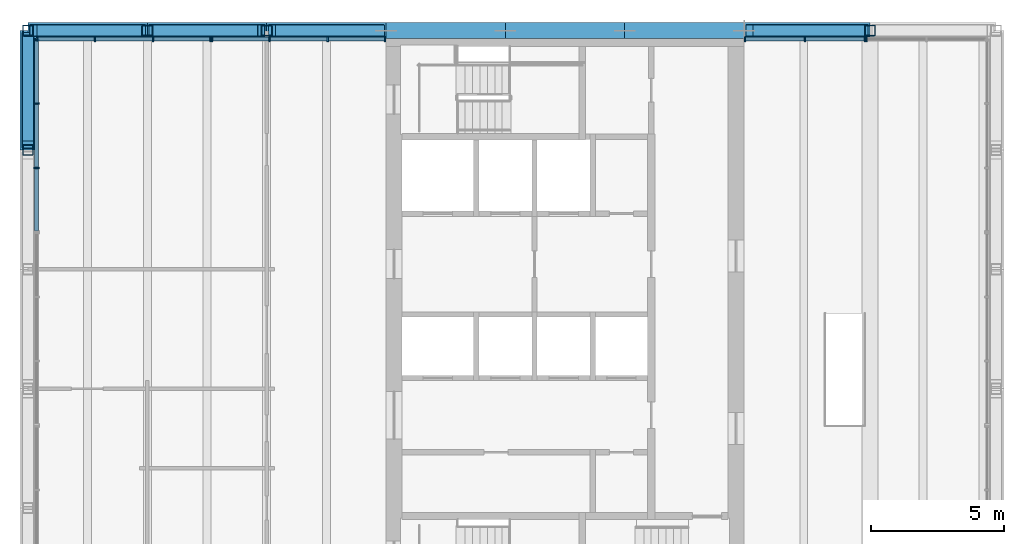
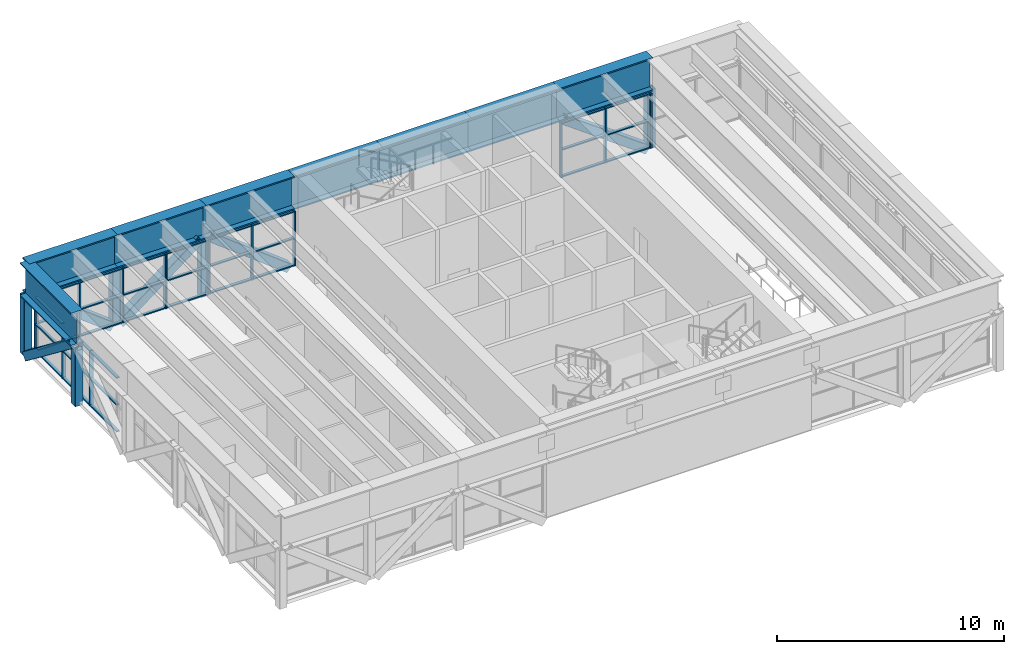
# One storey, part 4 of 12: 66 members, 5 elements without a shape of their own.
"""IFC4 building model written with IfcOpenShell, lengths in metres."""

from ifc_helpers import new_model, si_unit, direction, frame, origin, origin_2d, place, context, subcontext, project, spatial, rectangle, hollow_rectangle, i_section, extrude, material, material_profile, profile_set, type_object, element, aggregate, save


model = new_model("IFC4")

# Units and contexts
model_context = context("Model", 3, precision=1e-05, world=origin(), true_north=direction((0.0, 1.0)))
body_context = subcontext(model_context, "Body", "Model", "MODEL_VIEW")
ifc_project = project(units=[si_unit("LENGTHUNIT", "METRE"), si_unit("AREAUNIT", "SQUARE_METRE"), si_unit("VOLUMEUNIT", "CUBIC_METRE"), si_unit("PLANEANGLEUNIT", "RADIAN"), si_unit("MASSUNIT", "GRAM", prefix="KILO")], contexts=[model_context])

# Site, building, storey
site_placement = place(None, origin())
site = spatial("IfcSite", under=ifc_project, at=site_placement, CompositionType="ELEMENT")
building_placement = place(site_placement, origin())
building = spatial("IfcBuilding", under=site, at=building_placement, Name="Sennacour Bend Tower", CompositionType="ELEMENT")
storey_placement = place(building_placement, frame((0.0, 0.0, 350.5)))
storey = spatial("IfcBuildingStorey", under=building, at=storey_placement, Name="L80", CompositionType="ELEMENT", Elevation=350.5)

# Curtain wall, member
ifc_material_1 = material(Name="Bronze anodised aluminium curtain wall with clear glass", Category="aluminium")
curtain_wall_type = type_object("IfcCurtainWallType", Name="CURTAIN WALL LOUNGE", PredefinedType="NOTDEFINED", material=ifc_material_1)
curtain_wall_1_placement = place(storey_placement, origin())
curtain_wall_1 = element("IfcCurtainWall", 1, at=curtain_wall_1_placement, inside=storey, type_object=curtain_wall_type, Name="Sky lounge glass wall L80", PredefinedType="NOTDEFINED")
ifc_material_2 = material(Name="Aluminium 6063-T6", Category="aluminium")
ifc_material_profile_1 = material_profile(ifc_material_2, rectangle(XDim=0.199951171875, YDim=0.06005859375, at=origin_2d()), Name="Aluminium 6063-T6", Category="aluminium")
ifc_profile_set_1 = profile_set([ifc_material_profile_1], Name="Aluminium 6063-T6")
member_type_1 = type_object("IfcMemberType", Name="CW-MULLION-200X60", PredefinedType="MULLION", material=ifc_profile_set_1)
member_1_placement = place(storey_placement, frame((72.117919921875, 22.175048828125, 0.0), z_axis=(0.0, 0.0, 1.0), x_axis=(0.0, -1.0, 0.0)))
member_1 = element("IfcMember", 2, at=member_1_placement, type_object=member_type_1, Name="GW4 curtain wall mullion 3", PredefinedType="MULLION", context=body_context, shape_type="SweptSolid", body=[
    extrude(rectangle(XDim=0.199951171875, YDim=0.06005859375, at=origin_2d()), origin(), (0.0, 0.0, 1.0), 2.9501953125),
])
aggregate(curtain_wall_1, [member_1])

# Curtain wall, members
curtain_wall_2_placement = place(storey_placement, origin())
curtain_wall_2 = element("IfcCurtainWall", 3, at=curtain_wall_2_placement, inside=storey, type_object=curtain_wall_type, Name="Sky lounge glass wall L80", PredefinedType="NOTDEFINED")
member_2_placement = place(storey_placement, frame((72.05810546875, 22.175048828125, 0.0), z_axis=(0.0, 0.0, 1.0), x_axis=(0.0, -1.0, 0.0)))
member_2 = element("IfcMember", 4, at=member_2_placement, type_object=member_type_1, Name="GW4 curtain wall mullion 1", PredefinedType="MULLION", context=body_context, shape_type="SweptSolid", body=[
    extrude(rectangle(XDim=0.199951171875, YDim=0.06005859375, at=origin_2d()), origin(), (0.0, 0.0, 1.0), 2.9501953125),
])
member_3_placement = place(storey_placement, frame((69.79443359375, 22.175048828125, 0.0), z_axis=(0.0, 0.0, 1.0), x_axis=(0.0, -1.0, 0.0)))
member_3 = element("IfcMember", 5, at=member_3_placement, type_object=member_type_1, Name="GW4 curtain wall mullion 2", PredefinedType="MULLION", context=body_context, shape_type="SweptSolid", body=[
    extrude(rectangle(XDim=0.199951171875, YDim=0.06005859375, at=origin_2d()), origin(), (0.0, 0.0, 1.0), 2.9501953125),
])
member_4_placement = place(storey_placement, frame((67.531005859375, 22.175048828125, 0.0), z_axis=(0.0, 0.0, 1.0), x_axis=(0.0, -1.0, 0.0)))
member_4 = element("IfcMember", 6, at=member_4_placement, type_object=member_type_1, Name="GW4 curtain wall mullion 3", PredefinedType="MULLION", context=body_context, shape_type="SweptSolid", body=[
    extrude(rectangle(XDim=0.199951171875, YDim=0.06005859375, at=origin_2d()), origin(), (0.0, 0.0, 1.0), 2.9501953125),
])

curtain_wall_3_placement = place(storey_placement, origin())
curtain_wall_3 = element("IfcCurtainWall", 7, at=curtain_wall_3_placement, inside=storey, type_object=curtain_wall_type, Name="Sky lounge glass wall L80", PredefinedType="NOTDEFINED")
member_5_placement = place(storey_placement, frame((53.968994140625, 22.175048828125, 0.0), z_axis=(0.0, 0.0, 1.0), x_axis=(0.0, -1.0, 0.0)))
member_5 = element("IfcMember", 8, at=member_5_placement, type_object=member_type_1, Name="GW4 curtain wall mullion 1", PredefinedType="MULLION", context=body_context, shape_type="SweptSolid", body=[
    extrude(rectangle(XDim=0.199951171875, YDim=0.06005859375, at=origin_2d()), origin(), (0.0, 0.0, 1.0), 2.9501953125),
])
member_6_placement = place(storey_placement, frame((51.80322265625, 22.175048828125, 0.0), z_axis=(0.0, 0.0, 1.0), x_axis=(0.0, -1.0, 0.0)))
member_6 = element("IfcMember", 9, at=member_6_placement, type_object=member_type_1, Name="GW4 curtain wall mullion 2", PredefinedType="MULLION", context=body_context, shape_type="SweptSolid", body=[
    extrude(rectangle(XDim=0.199951171875, YDim=0.06005859375, at=origin_2d()), origin(), (0.0, 0.0, 1.0), 2.9501953125),
])
member_7_placement = place(storey_placement, frame((49.607666015625, 22.175048828125, 0.0), z_axis=(0.0, 0.0, 1.0), x_axis=(0.0, -1.0, 0.0)))
member_7 = element("IfcMember", 10, at=member_7_placement, type_object=member_type_1, Name="GW4 curtain wall mullion 3", PredefinedType="MULLION", context=body_context, shape_type="SweptSolid", body=[
    extrude(rectangle(XDim=0.199951171875, YDim=0.06005859375, at=origin_2d()), origin(), (0.0, 0.0, 1.0), 2.9501953125),
])
member_8_placement = place(storey_placement, frame((47.44189453125, 22.175048828125, 0.0), z_axis=(0.0, 0.0, 1.0), x_axis=(0.0, -1.0, 0.0)))
member_8 = element("IfcMember", 11, at=member_8_placement, type_object=member_type_1, Name="GW4 curtain wall mullion 4", PredefinedType="MULLION", context=body_context, shape_type="SweptSolid", body=[
    extrude(rectangle(XDim=0.199951171875, YDim=0.06005859375, at=origin_2d()), origin(), (0.0, 0.0, 1.0), 2.9501953125),
])

curtain_wall_4_placement = place(storey_placement, origin())
curtain_wall_4 = element("IfcCurtainWall", 12, at=curtain_wall_4_placement, inside=storey, type_object=curtain_wall_type, Name="Sky lounge glass wall L80", PredefinedType="NOTDEFINED")
member_9_placement = place(storey_placement, frame((47.382080078125, 22.175048828125, 0.0), z_axis=(0.0, 0.0, 1.0), x_axis=(0.0, -1.0, 0.0)))
member_9 = element("IfcMember", 13, at=member_9_placement, type_object=member_type_1, Name="GW4 curtain wall mullion 1", PredefinedType="MULLION", context=body_context, shape_type="SweptSolid", body=[
    extrude(rectangle(XDim=0.199951171875, YDim=0.06005859375, at=origin_2d()), origin(), (0.0, 0.0, 1.0), 2.9501953125),
])
member_10_placement = place(storey_placement, frame((45.21630859375, 22.175048828125, 0.0), z_axis=(0.0, 0.0, 1.0), x_axis=(0.0, -1.0, 0.0)))
member_10 = element("IfcMember", 14, at=member_10_placement, type_object=member_type_1, Name="GW4 curtain wall mullion 2", PredefinedType="MULLION", context=body_context, shape_type="SweptSolid", body=[
    extrude(rectangle(XDim=0.199951171875, YDim=0.06005859375, at=origin_2d()), origin(), (0.0, 0.0, 1.0), 2.9501953125),
])
member_11_placement = place(storey_placement, frame((43.020751953125, 22.175048828125, 0.0), z_axis=(0.0, 0.0, 1.0), x_axis=(0.0, -1.0, 0.0)))
member_11 = element("IfcMember", 15, at=member_11_placement, type_object=member_type_1, Name="GW4 curtain wall mullion 3", PredefinedType="MULLION", context=body_context, shape_type="SweptSolid", body=[
    extrude(rectangle(XDim=0.199951171875, YDim=0.06005859375, at=origin_2d()), origin(), (0.0, 0.0, 1.0), 2.9501953125),
])
member_12_placement = place(storey_placement, frame((40.85498046875, 22.175048828125, 0.0), z_axis=(0.0, 0.0, 1.0), x_axis=(0.0, -1.0, 0.0)))
member_12 = element("IfcMember", 16, at=member_12_placement, type_object=member_type_1, Name="GW4 curtain wall mullion 4", PredefinedType="MULLION", context=body_context, shape_type="SweptSolid", body=[
    extrude(rectangle(XDim=0.199951171875, YDim=0.06005859375, at=origin_2d()), origin(), (0.0, 0.0, 1.0), 2.9501953125),
])

curtain_wall_5_placement = place(storey_placement, origin())
curtain_wall_5 = element("IfcCurtainWall", 17, at=curtain_wall_5_placement, inside=storey, type_object=curtain_wall_type, Name="Sky lounge glass wall L80", PredefinedType="NOTDEFINED")
member_13_placement = place(storey_placement, frame((40.824951171875, 17.319580078125, 0.0), z_axis=(0.0, 0.0, 1.0), x_axis=(-1.0, 0.0, 0.0)))
member_13 = element("IfcMember", 18, at=member_13_placement, type_object=member_type_1, Name="GW4 curtain wall mullion 2", PredefinedType="MULLION", context=body_context, shape_type="SweptSolid", body=[
    extrude(rectangle(XDim=0.199951171875, YDim=0.06005859375, at=origin_2d()), origin(), (0.0, 0.0, 1.0), 2.9501953125),
])
member_14_placement = place(storey_placement, frame((40.824951171875, 19.747314453125, 0.0), z_axis=(0.0, 0.0, 1.0), x_axis=(-1.0, 0.0, 0.0)))
member_14 = element("IfcMember", 19, at=member_14_placement, type_object=member_type_1, Name="GW4 curtain wall mullion 3", PredefinedType="MULLION", context=body_context, shape_type="SweptSolid", body=[
    extrude(rectangle(XDim=0.199951171875, YDim=0.06005859375, at=origin_2d()), origin(), (0.0, 0.0, 1.0), 2.9501953125),
])
member_15_placement = place(storey_placement, frame((40.824951171875, 22.14501953125, 0.0), z_axis=(0.0, 0.0, 1.0), x_axis=(-1.0, 0.0, 0.0)))
member_15 = element("IfcMember", 20, at=member_15_placement, type_object=member_type_1, Name="GW4 curtain wall mullion 4", PredefinedType="MULLION", context=body_context, shape_type="SweptSolid", body=[
    extrude(rectangle(XDim=0.199951171875, YDim=0.06005859375, at=origin_2d()), origin(), (0.0, 0.0, 1.0), 2.9501953125),
])

# Member
ifc_material_profile_2 = material_profile(ifc_material_2, rectangle(XDim=0.14990234375, YDim=0.06005859375, at=origin_2d()), Name="Aluminium 6063-T6", Category="aluminium")
ifc_profile_set_2 = profile_set([ifc_material_profile_2], Name="Aluminium 6063-T6")
member_type_2 = type_object("IfcMemberType", Name="CW-TRANSOM-150X60", PredefinedType="USERDEFINED", material=ifc_profile_set_2)
member_16_placement = place(storey_placement, frame((72.028076171875, 22.175048828125, 0.030029296875), z_axis=(-1.0, 0.0, 0.0), x_axis=(0.0, -1.0, 0.0)))
member_16 = element("IfcMember", 21, at=member_16_placement, type_object=member_type_2, Name="GW4 curtain wall transom 1.1", ObjectType="TRANSOM", PredefinedType="USERDEFINED", context=body_context, shape_type="SweptSolid", body=[
    extrude(rectangle(XDim=0.14990234375, YDim=0.06005859375, at=origin_2d()), origin(), (0.0, 0.0, 1.0), 2.20361328125),
])

member_17_placement = place(storey_placement, frame((72.028076171875, 22.175048828125, 1.47509765625), z_axis=(-1.0, 0.0, 0.0), x_axis=(0.0, -1.0, 0.0)))
member_17 = element("IfcMember", 22, at=member_17_placement, type_object=member_type_2, Name="GW4 curtain wall transom 1.2", ObjectType="TRANSOM", PredefinedType="USERDEFINED", context=body_context, shape_type="SweptSolid", body=[
    extrude(rectangle(XDim=0.14990234375, YDim=0.06005859375, at=origin_2d()), origin(), (0.0, 0.0, 1.0), 2.20361328125),
])

member_18_placement = place(storey_placement, frame((72.028076171875, 22.175048828125, 2.920166015625), z_axis=(-1.0, 0.0, 0.0), x_axis=(0.0, -1.0, 0.0)))
member_18 = element("IfcMember", 23, at=member_18_placement, type_object=member_type_2, Name="GW4 curtain wall transom 1.3", ObjectType="TRANSOM", PredefinedType="USERDEFINED", context=body_context, shape_type="SweptSolid", body=[
    extrude(rectangle(XDim=0.14990234375, YDim=0.06005859375, at=origin_2d()), origin(), (0.0, 0.0, 1.0), 2.20361328125),
])

member_19_placement = place(storey_placement, frame((69.764404296875, 22.175048828125, 0.030029296875), z_axis=(-1.0, 0.0, 0.0), x_axis=(0.0, -1.0, 0.0)))
member_19 = element("IfcMember", 24, at=member_19_placement, type_object=member_type_2, Name="GW4 curtain wall transom 2.1", ObjectType="TRANSOM", PredefinedType="USERDEFINED", context=body_context, shape_type="SweptSolid", body=[
    extrude(rectangle(XDim=0.14990234375, YDim=0.06005859375, at=origin_2d()), origin(), (0.0, 0.0, 1.0), 2.203369140625),
])

member_20_placement = place(storey_placement, frame((69.764404296875, 22.175048828125, 1.47509765625), z_axis=(-1.0, 0.0, 0.0), x_axis=(0.0, -1.0, 0.0)))
member_20 = element("IfcMember", 25, at=member_20_placement, type_object=member_type_2, Name="GW4 curtain wall transom 2.2", ObjectType="TRANSOM", PredefinedType="USERDEFINED", context=body_context, shape_type="SweptSolid", body=[
    extrude(rectangle(XDim=0.14990234375, YDim=0.06005859375, at=origin_2d()), origin(), (0.0, 0.0, 1.0), 2.203369140625),
])

member_21_placement = place(storey_placement, frame((69.764404296875, 22.175048828125, 2.920166015625), z_axis=(-1.0, 0.0, 0.0), x_axis=(0.0, -1.0, 0.0)))
member_21 = element("IfcMember", 26, at=member_21_placement, type_object=member_type_2, Name="GW4 curtain wall transom 2.3", ObjectType="TRANSOM", PredefinedType="USERDEFINED", context=body_context, shape_type="SweptSolid", body=[
    extrude(rectangle(XDim=0.14990234375, YDim=0.06005859375, at=origin_2d()), origin(), (0.0, 0.0, 1.0), 2.203369140625),
])

aggregate(curtain_wall_2, [member_2, member_3, member_4, member_16, member_17, member_18, member_19, member_20, member_21])

member_22_placement = place(storey_placement, frame((53.93896484375, 22.175048828125, 0.030029296875), z_axis=(-1.0, 0.0, 0.0), x_axis=(0.0, -1.0, 0.0)))
member_22 = element("IfcMember", 27, at=member_22_placement, type_object=member_type_2, Name="GW4 curtain wall transom 1.1", ObjectType="TRANSOM", PredefinedType="USERDEFINED", context=body_context, shape_type="SweptSolid", body=[
    extrude(rectangle(XDim=0.14990234375, YDim=0.06005859375, at=origin_2d()), origin(), (0.0, 0.0, 1.0), 2.105712890625),
])

member_23_placement = place(storey_placement, frame((53.93896484375, 22.175048828125, 1.47509765625), z_axis=(-1.0, 0.0, 0.0), x_axis=(0.0, -1.0, 0.0)))
member_23 = element("IfcMember", 28, at=member_23_placement, type_object=member_type_2, Name="GW4 curtain wall transom 1.2", ObjectType="TRANSOM", PredefinedType="USERDEFINED", context=body_context, shape_type="SweptSolid", body=[
    extrude(rectangle(XDim=0.14990234375, YDim=0.06005859375, at=origin_2d()), origin(), (0.0, 0.0, 1.0), 2.105712890625),
])

member_24_placement = place(storey_placement, frame((53.93896484375, 22.175048828125, 2.920166015625), z_axis=(-1.0, 0.0, 0.0), x_axis=(0.0, -1.0, 0.0)))
member_24 = element("IfcMember", 29, at=member_24_placement, type_object=member_type_2, Name="GW4 curtain wall transom 1.3", ObjectType="TRANSOM", PredefinedType="USERDEFINED", context=body_context, shape_type="SweptSolid", body=[
    extrude(rectangle(XDim=0.14990234375, YDim=0.06005859375, at=origin_2d()), origin(), (0.0, 0.0, 1.0), 2.105712890625),
])

member_25_placement = place(storey_placement, frame((51.7734375, 22.175048828125, 0.030029296875), z_axis=(-1.0, 0.0, 0.0), x_axis=(0.0, -1.0, 0.0)))
member_25 = element("IfcMember", 30, at=member_25_placement, type_object=member_type_2, Name="GW4 curtain wall transom 2.1", ObjectType="TRANSOM", PredefinedType="USERDEFINED", context=body_context, shape_type="SweptSolid", body=[
    extrude(rectangle(XDim=0.14990234375, YDim=0.06005859375, at=origin_2d()), origin(), (0.0, 0.0, 1.0), 2.1357421875),
])

member_26_placement = place(storey_placement, frame((51.7734375, 22.175048828125, 1.47509765625), z_axis=(-1.0, 0.0, 0.0), x_axis=(0.0, -1.0, 0.0)))
member_26 = element("IfcMember", 31, at=member_26_placement, type_object=member_type_2, Name="GW4 curtain wall transom 2.2", ObjectType="TRANSOM", PredefinedType="USERDEFINED", context=body_context, shape_type="SweptSolid", body=[
    extrude(rectangle(XDim=0.14990234375, YDim=0.06005859375, at=origin_2d()), origin(), (0.0, 0.0, 1.0), 2.1357421875),
])

member_27_placement = place(storey_placement, frame((51.7734375, 22.175048828125, 2.920166015625), z_axis=(-1.0, 0.0, 0.0), x_axis=(0.0, -1.0, 0.0)))
member_27 = element("IfcMember", 32, at=member_27_placement, type_object=member_type_2, Name="GW4 curtain wall transom 2.3", ObjectType="TRANSOM", PredefinedType="USERDEFINED", context=body_context, shape_type="SweptSolid", body=[
    extrude(rectangle(XDim=0.14990234375, YDim=0.06005859375, at=origin_2d()), origin(), (0.0, 0.0, 1.0), 2.1357421875),
])

member_28_placement = place(storey_placement, frame((49.57763671875, 22.175048828125, 0.030029296875), z_axis=(-1.0, 0.0, 0.0), x_axis=(0.0, -1.0, 0.0)))
member_28 = element("IfcMember", 33, at=member_28_placement, type_object=member_type_2, Name="GW4 curtain wall transom 3.1", ObjectType="TRANSOM", PredefinedType="USERDEFINED", context=body_context, shape_type="SweptSolid", body=[
    extrude(rectangle(XDim=0.14990234375, YDim=0.06005859375, at=origin_2d()), origin(), (0.0, 0.0, 1.0), 2.105712890625),
])

member_29_placement = place(storey_placement, frame((49.57763671875, 22.175048828125, 1.47509765625), z_axis=(-1.0, 0.0, 0.0), x_axis=(0.0, -1.0, 0.0)))
member_29 = element("IfcMember", 34, at=member_29_placement, type_object=member_type_2, Name="GW4 curtain wall transom 3.2", ObjectType="TRANSOM", PredefinedType="USERDEFINED", context=body_context, shape_type="SweptSolid", body=[
    extrude(rectangle(XDim=0.14990234375, YDim=0.06005859375, at=origin_2d()), origin(), (0.0, 0.0, 1.0), 2.105712890625),
])

member_30_placement = place(storey_placement, frame((49.57763671875, 22.175048828125, 2.920166015625), z_axis=(-1.0, 0.0, 0.0), x_axis=(0.0, -1.0, 0.0)))
member_30 = element("IfcMember", 35, at=member_30_placement, type_object=member_type_2, Name="GW4 curtain wall transom 3.3", ObjectType="TRANSOM", PredefinedType="USERDEFINED", context=body_context, shape_type="SweptSolid", body=[
    extrude(rectangle(XDim=0.14990234375, YDim=0.06005859375, at=origin_2d()), origin(), (0.0, 0.0, 1.0), 2.105712890625),
])

aggregate(curtain_wall_3, [member_5, member_6, member_7, member_8, member_22, member_23, member_24, member_25, member_26, member_27, member_28, member_29, member_30])

member_31_placement = place(storey_placement, frame((47.35205078125, 22.175048828125, 0.030029296875), z_axis=(-1.0, 0.0, 0.0), x_axis=(0.0, -1.0, 0.0)))
member_31 = element("IfcMember", 36, at=member_31_placement, type_object=member_type_2, Name="GW4 curtain wall transom 1.1", ObjectType="TRANSOM", PredefinedType="USERDEFINED", context=body_context, shape_type="SweptSolid", body=[
    extrude(rectangle(XDim=0.14990234375, YDim=0.06005859375, at=origin_2d()), origin(), (0.0, 0.0, 1.0), 2.105712890625),
])

member_32_placement = place(storey_placement, frame((47.35205078125, 22.175048828125, 1.47509765625), z_axis=(-1.0, 0.0, 0.0), x_axis=(0.0, -1.0, 0.0)))
member_32 = element("IfcMember", 37, at=member_32_placement, type_object=member_type_2, Name="GW4 curtain wall transom 1.2", ObjectType="TRANSOM", PredefinedType="USERDEFINED", context=body_context, shape_type="SweptSolid", body=[
    extrude(rectangle(XDim=0.14990234375, YDim=0.06005859375, at=origin_2d()), origin(), (0.0, 0.0, 1.0), 2.105712890625),
])

member_33_placement = place(storey_placement, frame((47.35205078125, 22.175048828125, 2.920166015625), z_axis=(-1.0, 0.0, 0.0), x_axis=(0.0, -1.0, 0.0)))
member_33 = element("IfcMember", 38, at=member_33_placement, type_object=member_type_2, Name="GW4 curtain wall transom 1.3", ObjectType="TRANSOM", PredefinedType="USERDEFINED", context=body_context, shape_type="SweptSolid", body=[
    extrude(rectangle(XDim=0.14990234375, YDim=0.06005859375, at=origin_2d()), origin(), (0.0, 0.0, 1.0), 2.105712890625),
])

member_34_placement = place(storey_placement, frame((45.186279296875, 22.175048828125, 0.030029296875), z_axis=(-1.0, 0.0, 0.0), x_axis=(0.0, -1.0, 0.0)))
member_34 = element("IfcMember", 39, at=member_34_placement, type_object=member_type_2, Name="GW4 curtain wall transom 2.1", ObjectType="TRANSOM", PredefinedType="USERDEFINED", context=body_context, shape_type="SweptSolid", body=[
    extrude(rectangle(XDim=0.14990234375, YDim=0.06005859375, at=origin_2d()), origin(), (0.0, 0.0, 1.0), 2.135498046875),
])

member_35_placement = place(storey_placement, frame((45.186279296875, 22.175048828125, 1.47509765625), z_axis=(-1.0, 0.0, 0.0), x_axis=(0.0, -1.0, 0.0)))
member_35 = element("IfcMember", 40, at=member_35_placement, type_object=member_type_2, Name="GW4 curtain wall transom 2.2", ObjectType="TRANSOM", PredefinedType="USERDEFINED", context=body_context, shape_type="SweptSolid", body=[
    extrude(rectangle(XDim=0.14990234375, YDim=0.06005859375, at=origin_2d()), origin(), (0.0, 0.0, 1.0), 2.135498046875),
])

member_36_placement = place(storey_placement, frame((45.186279296875, 22.175048828125, 2.920166015625), z_axis=(-1.0, 0.0, 0.0), x_axis=(0.0, -1.0, 0.0)))
member_36 = element("IfcMember", 41, at=member_36_placement, type_object=member_type_2, Name="GW4 curtain wall transom 2.3", ObjectType="TRANSOM", PredefinedType="USERDEFINED", context=body_context, shape_type="SweptSolid", body=[
    extrude(rectangle(XDim=0.14990234375, YDim=0.06005859375, at=origin_2d()), origin(), (0.0, 0.0, 1.0), 2.135498046875),
])

member_37_placement = place(storey_placement, frame((42.99072265625, 22.175048828125, 0.030029296875), z_axis=(-1.0, 0.0, 0.0), x_axis=(0.0, -1.0, 0.0)))
member_37 = element("IfcMember", 42, at=member_37_placement, type_object=member_type_2, Name="GW4 curtain wall transom 3.1", ObjectType="TRANSOM", PredefinedType="USERDEFINED", context=body_context, shape_type="SweptSolid", body=[
    extrude(rectangle(XDim=0.14990234375, YDim=0.06005859375, at=origin_2d()), origin(), (0.0, 0.0, 1.0), 2.105712890625),
])

member_38_placement = place(storey_placement, frame((42.99072265625, 22.175048828125, 1.47509765625), z_axis=(-1.0, 0.0, 0.0), x_axis=(0.0, -1.0, 0.0)))
member_38 = element("IfcMember", 43, at=member_38_placement, type_object=member_type_2, Name="GW4 curtain wall transom 3.2", ObjectType="TRANSOM", PredefinedType="USERDEFINED", context=body_context, shape_type="SweptSolid", body=[
    extrude(rectangle(XDim=0.14990234375, YDim=0.06005859375, at=origin_2d()), origin(), (0.0, 0.0, 1.0), 2.105712890625),
])

member_39_placement = place(storey_placement, frame((42.99072265625, 22.175048828125, 2.920166015625), z_axis=(-1.0, 0.0, 0.0), x_axis=(0.0, -1.0, 0.0)))
member_39 = element("IfcMember", 44, at=member_39_placement, type_object=member_type_2, Name="GW4 curtain wall transom 3.3", ObjectType="TRANSOM", PredefinedType="USERDEFINED", context=body_context, shape_type="SweptSolid", body=[
    extrude(rectangle(XDim=0.14990234375, YDim=0.06005859375, at=origin_2d()), origin(), (0.0, 0.0, 1.0), 2.105712890625),
])

aggregate(curtain_wall_4, [member_9, member_10, member_11, member_12, member_31, member_32, member_33, member_34, member_35, member_36, member_37, member_38, member_39])

member_40_placement = place(storey_placement, frame((40.824951171875, 14.95166015625, 0.030029296875), z_axis=(0.0, 1.0, 0.0), x_axis=(-1.0, 0.0, 0.0)))
member_40 = element("IfcMember", 45, at=member_40_placement, type_object=member_type_2, Name="GW4 curtain wall transom 1.1", ObjectType="TRANSOM", PredefinedType="USERDEFINED", context=body_context, shape_type="SweptSolid", body=[
    extrude(rectangle(XDim=0.14990234375, YDim=0.06005859375, at=origin_2d()), origin(), (0.0, 0.0, 1.0), 2.337890625),
])

member_41_placement = place(storey_placement, frame((40.824951171875, 14.95166015625, 1.47509765625), z_axis=(0.0, 1.0, 0.0), x_axis=(-1.0, 0.0, 0.0)))
member_41 = element("IfcMember", 46, at=member_41_placement, type_object=member_type_2, Name="GW4 curtain wall transom 1.2", ObjectType="TRANSOM", PredefinedType="USERDEFINED", context=body_context, shape_type="SweptSolid", body=[
    extrude(rectangle(XDim=0.14990234375, YDim=0.06005859375, at=origin_2d()), origin(), (0.0, 0.0, 1.0), 2.337890625),
])

member_42_placement = place(storey_placement, frame((40.824951171875, 14.95166015625, 2.920166015625), z_axis=(0.0, 1.0, 0.0), x_axis=(-1.0, 0.0, 0.0)))
member_42 = element("IfcMember", 47, at=member_42_placement, type_object=member_type_2, Name="GW4 curtain wall transom 1.3", ObjectType="TRANSOM", PredefinedType="USERDEFINED", context=body_context, shape_type="SweptSolid", body=[
    extrude(rectangle(XDim=0.14990234375, YDim=0.06005859375, at=origin_2d()), origin(), (0.0, 0.0, 1.0), 2.337890625),
])

member_43_placement = place(storey_placement, frame((40.824951171875, 17.349365234375, 0.030029296875), z_axis=(0.0, 1.0, 0.0), x_axis=(-1.0, 0.0, 0.0)))
member_43 = element("IfcMember", 48, at=member_43_placement, type_object=member_type_2, Name="GW4 curtain wall transom 2.1", ObjectType="TRANSOM", PredefinedType="USERDEFINED", context=body_context, shape_type="SweptSolid", body=[
    extrude(rectangle(XDim=0.14990234375, YDim=0.06005859375, at=origin_2d()), origin(), (0.0, 0.0, 1.0), 2.367919921875),
])

member_44_placement = place(storey_placement, frame((40.824951171875, 17.349365234375, 1.47509765625), z_axis=(0.0, 1.0, 0.0), x_axis=(-1.0, 0.0, 0.0)))
member_44 = element("IfcMember", 49, at=member_44_placement, type_object=member_type_2, Name="GW4 curtain wall transom 2.2", ObjectType="TRANSOM", PredefinedType="USERDEFINED", context=body_context, shape_type="SweptSolid", body=[
    extrude(rectangle(XDim=0.14990234375, YDim=0.06005859375, at=origin_2d()), origin(), (0.0, 0.0, 1.0), 2.367919921875),
])

member_45_placement = place(storey_placement, frame((40.824951171875, 17.349365234375, 2.920166015625), z_axis=(0.0, 1.0, 0.0), x_axis=(-1.0, 0.0, 0.0)))
member_45 = element("IfcMember", 50, at=member_45_placement, type_object=member_type_2, Name="GW4 curtain wall transom 2.3", ObjectType="TRANSOM", PredefinedType="USERDEFINED", context=body_context, shape_type="SweptSolid", body=[
    extrude(rectangle(XDim=0.14990234375, YDim=0.06005859375, at=origin_2d()), origin(), (0.0, 0.0, 1.0), 2.367919921875),
])

member_46_placement = place(storey_placement, frame((40.824951171875, 19.77734375, 0.030029296875), z_axis=(0.0, 1.0, 0.0), x_axis=(-1.0, 0.0, 0.0)))
member_46 = element("IfcMember", 51, at=member_46_placement, type_object=member_type_2, Name="GW4 curtain wall transom 3.1", ObjectType="TRANSOM", PredefinedType="USERDEFINED", context=body_context, shape_type="SweptSolid", body=[
    extrude(rectangle(XDim=0.14990234375, YDim=0.06005859375, at=origin_2d()), origin(), (0.0, 0.0, 1.0), 2.337646484375),
])

member_47_placement = place(storey_placement, frame((40.824951171875, 19.77734375, 1.47509765625), z_axis=(0.0, 1.0, 0.0), x_axis=(-1.0, 0.0, 0.0)))
member_47 = element("IfcMember", 52, at=member_47_placement, type_object=member_type_2, Name="GW4 curtain wall transom 3.2", ObjectType="TRANSOM", PredefinedType="USERDEFINED", context=body_context, shape_type="SweptSolid", body=[
    extrude(rectangle(XDim=0.14990234375, YDim=0.06005859375, at=origin_2d()), origin(), (0.0, 0.0, 1.0), 2.337646484375),
])

member_48_placement = place(storey_placement, frame((40.824951171875, 19.77734375, 2.920166015625), z_axis=(0.0, 1.0, 0.0), x_axis=(-1.0, 0.0, 0.0)))
member_48 = element("IfcMember", 53, at=member_48_placement, type_object=member_type_2, Name="GW4 curtain wall transom 3.3", ObjectType="TRANSOM", PredefinedType="USERDEFINED", context=body_context, shape_type="SweptSolid", body=[
    extrude(rectangle(XDim=0.14990234375, YDim=0.06005859375, at=origin_2d()), origin(), (0.0, 0.0, 1.0), 2.337646484375),
])

aggregate(curtain_wall_5, [member_13, member_14, member_15, member_40, member_41, member_42, member_43, member_44, member_45, member_46, member_47, member_48])

# Members
ifc_material_3 = material(Name="Steel ASTM A500 Grade C", Category="steel")
ifc_material_profile_3 = material_profile(ifc_material_3, hollow_rectangle(XDim=0.457275390625, YDim=0.457275390625, WallThickness=0.015869140625, InnerFilletRadius=0.015869140625, OuterFilletRadius=0.03173828125, at=origin_2d()), Name="Steel ASTM A500 Grade C", Category="steel")
ifc_profile_set_3 = profile_set([ifc_material_profile_3], Name="Steel ASTM A500 Grade C")
member_type_3 = type_object("IfcMemberType", Name="Lounge truss diagonal 457", PredefinedType="BRACE", material=ifc_profile_set_3)
for number, where, z_axis, x_axis, name in (
    (54, (40.703125, 22.5, 2.949951171875), (0.792543156862, 0.0, -0.609815828354), (0.0, 1.0, 0.0), "Lounge truss diagonal LD L80-006"),
    (55, (45.203125, 22.5, -0.199951171875), (0.792543156862, 0.0, 0.609815828354), (0.0, 1.0, 0.0), "Lounge truss diagonal LD L80-007"),
    (56, (49.703125, 22.5, 2.949951171875), (0.792543156862, 0.0, -0.609815828354), (0.0, 1.0, 0.0), "Lounge truss diagonal LD L80-008"),
):
    element("IfcMember", number, at=place(storey_placement, frame(where, z_axis=z_axis, x_axis=x_axis)), inside=storey, type_object=member_type_3, Name=name, PredefinedType="BRACE", context=body_context, shape_type="SweptSolid", body=[
        extrude(hollow_rectangle(XDim=0.457275390625, YDim=0.457275390625, WallThickness=0.015869140625, InnerFilletRadius=0.015869140625, OuterFilletRadius=0.03173828125, at=origin_2d()), origin(), (0.0, 0.0, 1.0), 5.165283203125),
    ])
member_49_placement = place(storey_placement, frame((67.703125, 22.5, 2.949951171875), z_axis=(0.809549895648, 0.0, -0.587051076531), x_axis=(0.0, 1.0, 0.0)))
element("IfcMember", 57, at=member_49_placement, inside=storey, type_object=member_type_3, Name="Lounge truss diagonal LD L80-009", PredefinedType="BRACE", context=body_context, shape_type="SweptSolid", body=[
    extrude(hollow_rectangle(XDim=0.457275390625, YDim=0.457275390625, WallThickness=0.015869140625, InnerFilletRadius=0.015869140625, OuterFilletRadius=0.03173828125, at=origin_2d()), origin(), (0.0, 0.0, 1.0), 5.36572265625),
])
member_50_placement = place(storey_placement, frame((40.5, 18.203125, 2.949951171875), z_axis=(0.0, 0.792543156862, -0.609815828354), x_axis=(-1.0, 0.0, 0.0)))
element("IfcMember", 58, at=member_50_placement, inside=storey, type_object=member_type_3, Name="Lounge truss diagonal LD L80-015", PredefinedType="BRACE", context=body_context, shape_type="SweptSolid", body=[
    extrude(hollow_rectangle(XDim=0.457275390625, YDim=0.457275390625, WallThickness=0.015869140625, InnerFilletRadius=0.015869140625, OuterFilletRadius=0.03173828125, at=origin_2d()), origin(), (0.0, 0.0, 1.0), 5.165283203125),
])
ifc_material_profile_4 = material_profile(ifc_material_3, hollow_rectangle(XDim=0.406494140625, YDim=0.406494140625, WallThickness=0.01904296875, InnerFilletRadius=0.01904296875, OuterFilletRadius=0.0380859375, at=origin_2d()), Name="Steel ASTM A500 Grade C", Category="steel")
ifc_profile_set_4 = profile_set([ifc_material_profile_4], Name="Steel ASTM A500 Grade C")
member_type_4 = type_object("IfcMemberType", Name="Lounge truss post 406", PredefinedType="POST", material=ifc_profile_set_4)
for number, where, z_axis, x_axis, name in (
    (59, (40.5, 22.5, -0.199951171875), (0.0, 0.0, 1.0), (1.0, 0.0, 0.0), "Lounge truss post LP L80-006"),
    (60, (45.0, 22.5, -0.199951171875), (0.0, 0.0, 1.0), (1.0, 0.0, 0.0), "Lounge truss post LP L80-007"),
    (61, (49.5, 22.5, -0.199951171875), (0.0, 0.0, 1.0), (1.0, 0.0, 0.0), "Lounge truss post LP L80-008"),
    (62, (72.25, 22.5, -0.199951171875), (0.0, 0.0, 1.0), (1.0, 0.0, 0.0), "Lounge truss post LP L80-009"),
    (63, (40.5, 18.0, -0.199951171875), (0.0, 0.0, 1.0), (1.0, 0.0, 0.0), "Lounge truss post LP L80-014"),
):
    element("IfcMember", number, at=place(storey_placement, frame(where, z_axis=z_axis, x_axis=x_axis)), inside=storey, type_object=member_type_4, Name=name, PredefinedType="POST", context=body_context, shape_type="SweptSolid", body=[
        extrude(hollow_rectangle(XDim=0.406494140625, YDim=0.406494140625, WallThickness=0.01904296875, InnerFilletRadius=0.01904296875, OuterFilletRadius=0.0380859375, at=origin_2d()), origin(), (0.0, 0.0, 1.0), 3.14990234375),
    ])
ifc_material_4 = material(Name="Steel ASTM A572 Grade 50", Category="steel")
ifc_material_profile_5 = material_profile(ifc_material_4, i_section(OverallWidth=0.60009765625, OverallDepth=1.800048828125, WebThickness=0.0400390625, FlangeThickness=0.070068359375, at=origin_2d()), Name="Steel ASTM A572 Grade 50", Category="steel")
ifc_profile_set_5 = profile_set([ifc_material_profile_5], Name="Steel ASTM A572 Grade 50")
member_type_5 = type_object("IfcMemberType", Name="Lounge truss roof chord 1800", PredefinedType="CHORD", material=ifc_profile_set_5)
for number, where, z_axis, x_axis, name in (
    (64, (40.5, 22.5, 3.85009765625), (1.0, 0.0, 0.0), (0.0, 1.0, 0.0), "Lounge truss chord LR RF-009"),
    (65, (45.0, 22.5, 3.85009765625), (1.0, 0.0, 0.0), (0.0, 1.0, 0.0), "Lounge truss chord LR RF-010"),
    (66, (49.5, 22.5, 3.85009765625), (1.0, 0.0, 0.0), (0.0, 1.0, 0.0), "Lounge truss chord LR RF-011"),
    (67, (54.0, 22.5, 3.85009765625), (1.0, 0.0, 0.0), (0.0, 1.0, 0.0), "Lounge truss chord LR RF-012"),
    (68, (58.5, 22.5, 3.85009765625), (1.0, 0.0, 0.0), (0.0, 1.0, 0.0), "Lounge truss chord LR RF-013"),
    (69, (63.0, 22.5, 3.85009765625), (1.0, 0.0, 0.0), (0.0, 1.0, 0.0), "Lounge truss chord LR RF-014"),
):
    element("IfcMember", number, at=place(storey_placement, frame(where, z_axis=z_axis, x_axis=x_axis)), inside=storey, type_object=member_type_5, Name=name, PredefinedType="CHORD", context=body_context, shape_type="SweptSolid", body=[
        extrude(i_section(OverallWidth=0.60009765625, OverallDepth=1.800048828125, WebThickness=0.0400390625, FlangeThickness=0.070068359375, at=origin_2d()), origin(), (0.0, 0.0, 1.0), 4.5),
    ])
member_51_placement = place(storey_placement, frame((67.5, 22.5, 3.85009765625), z_axis=(1.0, 0.0, 0.0), x_axis=(0.0, 1.0, 0.0)))
element("IfcMember", 70, at=member_51_placement, inside=storey, type_object=member_type_5, Name="Lounge truss chord LR RF-015", PredefinedType="CHORD", context=body_context, shape_type="SweptSolid", body=[
    extrude(i_section(OverallWidth=0.60009765625, OverallDepth=1.800048828125, WebThickness=0.0400390625, FlangeThickness=0.070068359375, at=origin_2d()), origin(), (0.0, 0.0, 1.0), 4.75),
])
member_52_placement = place(storey_placement, frame((40.5, 18.0, 3.85009765625), z_axis=(0.0, 1.0, 0.0), x_axis=(-1.0, 0.0, 0.0)))
element("IfcMember", 71, at=member_52_placement, inside=storey, type_object=member_type_5, Name="Lounge truss chord LR RF-021", PredefinedType="CHORD", context=body_context, shape_type="SweptSolid", body=[
    extrude(i_section(OverallWidth=0.60009765625, OverallDepth=1.800048828125, WebThickness=0.0400390625, FlangeThickness=0.070068359375, at=origin_2d()), origin(), (0.0, 0.0, 1.0), 4.5),
])

save(model, "model.ifc")
